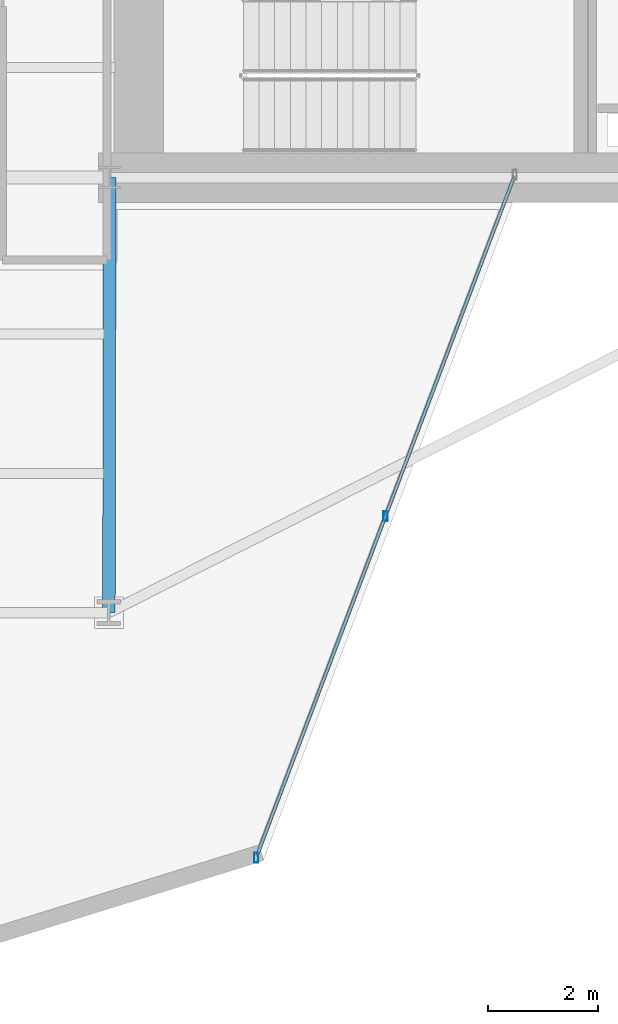
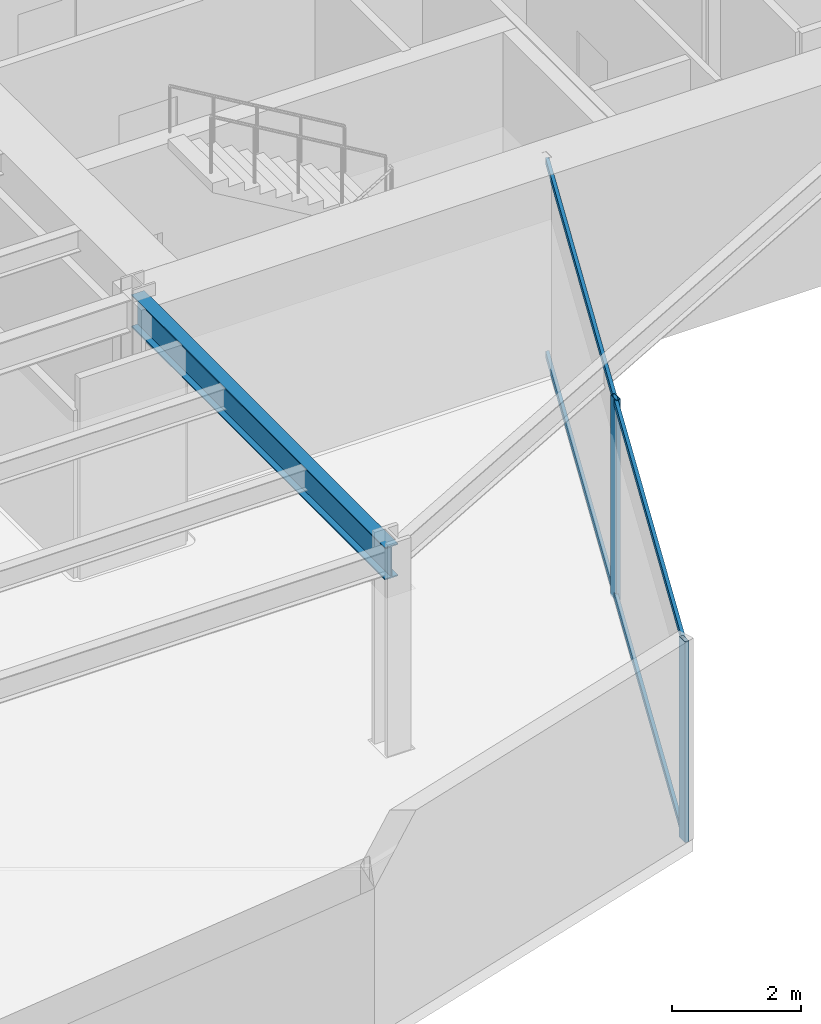
# One storey, part 13 of 30: 4 members, 1 beam, 1 element without a shape of its own.
"""IFC4 building model written with IfcOpenShell, lengths in metres."""

import ifcopenshell
import ifcopenshell.guid

model = None  # the IFC model being written
_history = None  # IfcOwnerHistory: only IFC2X3 demands one
_inside = {}  # id of a spatial element -> (the spatial element, [elements in it])
_under = {}  # id of a project, library or spatial element -> (it, [spatial elements below it])
_declared = {}  # id of a project -> (the project, [libraries it declares])
_typed = {}  # id of a type object -> (the type object, [elements of that type])
_made_of = {}  # id of a material, layer set ... -> (it, [elements and type objects made of it])


def new_model(schema):
    """Start an empty IFC model of exactly this schema.

    Asked for "IFC4X3", IfcOpenShell would pick the latest addendum, in which some entities
    have other attributes; the version numbers below select the first issue.
    IFC2X3 requires an IfcOwnerHistory on every rooted entity: one is made here for all.
    """
    global model, _history
    if schema == "IFC4X3":
        model = ifcopenshell.file(schema_version=(4, 3, 0, 0))
    else:
        model = ifcopenshell.file(schema=schema)
    _inside.clear()
    _under.clear()
    _declared.clear()
    _typed.clear()
    _made_of.clear()
    _history = None
    if model.schema == "IFC2X3":
        org = make("IfcOrganization", Name="unknown")
        user = make(
            "IfcPersonAndOrganization",
            ThePerson=make("IfcPerson", FamilyName="unknown"),
            TheOrganization=org,
        )
        app = make(
            "IfcApplication",
            ApplicationDeveloper=org,
            Version="unknown",
            ApplicationFullName="unknown",
            ApplicationIdentifier="unknown",
        )
        _history = make(
            "IfcOwnerHistory",
            OwningUser=user,
            OwningApplication=app,
            ChangeAction="ADDED",
            CreationDate=0,
        )
    return model


def make(cls, **values):
    """One entity of the class cls with the attributes given. An attribute that is None is left unset."""
    return model.create_entity(
        cls, **{name: value for name, value in values.items() if value is not None}
    )


def rooted(cls, **values):
    """An entity with a GlobalId (a new one), such as an element, a storey or a relation."""
    return make(cls, GlobalId=ifcopenshell.guid.new(), OwnerHistory=_history, **values)


def si_unit(unit_type, name, prefix=None):
    """IfcSIUnit, for example si_unit("LENGTHUNIT", "METRE", prefix="MILLI")."""
    return make("IfcSIUnit", UnitType=unit_type, Prefix=prefix, Name=name)


def assignment(units):
    """IfcUnitAssignment: the units of a project."""
    return None if units is None else make("IfcUnitAssignment", Units=units)


def point(xyz):
    """IfcCartesianPoint."""
    return None if xyz is None else make("IfcCartesianPoint", Coordinates=xyz)


def direction(xyz):
    """IfcDirection."""
    return None if xyz is None else make("IfcDirection", DirectionRatios=xyz)


def frame(location, z_axis=None, x_axis=None):
    """IfcAxis2Placement3D, a coordinate frame: its origin and axes. An axis left out is left unset."""
    return make(
        "IfcAxis2Placement3D",
        Location=point(location),
        Axis=direction(z_axis),
        RefDirection=direction(x_axis),
    )


def frame_2d(location, x_axis=None):
    """IfcAxis2Placement2D, a coordinate frame in the plane: its origin and x axis."""
    return make(
        "IfcAxis2Placement2D", Location=point(location), RefDirection=direction(x_axis)
    )


def origin():
    """The frame at (0, 0, 0) with its axes left unset."""
    return frame((0.0, 0.0, 0.0))


def origin_2d():
    """The frame at (0, 0) in the plane with its x axis left unset."""
    return frame_2d((0.0, 0.0))


def place(relative_to, where):
    """IfcLocalPlacement: puts the frame where relative to a parent placement (None: the world)."""
    return make(
        "IfcLocalPlacement", PlacementRelTo=relative_to, RelativePlacement=where
    )


def context(
    kind, dimensions, precision=None, world=None, true_north=None, identifier=None
):
    """IfcGeometricRepresentationContext, for example the 3D "Model" context."""
    return make(
        "IfcGeometricRepresentationContext",
        ContextIdentifier=identifier,
        ContextType=kind,
        CoordinateSpaceDimension=dimensions,
        Precision=precision,
        WorldCoordinateSystem=world,
        TrueNorth=true_north,
    )


def subcontext(parent, identifier, kind, view, scale=None):
    """IfcGeometricRepresentationSubContext, for example "Body" below "Model"."""
    return make(
        "IfcGeometricRepresentationSubContext",
        ContextIdentifier=identifier,
        ContextType=kind,
        ParentContext=parent,
        TargetScale=scale,
        TargetView=view,
    )


def project(units=None, contexts=None):
    """IfcProject with its units and contexts."""
    return rooted(
        "IfcProject",
        Name="project",
        RepresentationContexts=contexts,
        UnitsInContext=assignment(units),
    )


def spatial(cls, under=None, at=None, **own):
    """A site, building, storey or space (cls), placed at a placement, below another one or the project."""
    s = rooted(cls, ObjectPlacement=at, **own)
    if under is not None:
        _under.setdefault(under.id(), (under, []))[1].append(s)
    return s


def profile(cls, at=None, kind="AREA", **sizes):
    """A parametric profile (cls). Its sizes go by their IFC names, for example OverallWidth=200.0."""
    return make(cls, ProfileType=kind, Position=at, **sizes)


def hollow_rectangle(**sizes):
    """IfcRectangleHollowProfileDef."""
    return profile("IfcRectangleHollowProfileDef", **sizes)


def i_section(**sizes):
    """IfcIShapeProfileDef."""
    return profile("IfcIShapeProfileDef", **sizes)


def extrude(swept, where, along, depth):
    """IfcExtrudedAreaSolid: the profile swept, set in the frame where, extruded along a direction by depth."""
    return make(
        "IfcExtrudedAreaSolid",
        SweptArea=swept,
        Position=where,
        ExtrudedDirection=direction(along),
        Depth=depth,
    )


def shape(context_of_items, identifier, shape_type, items):
    """IfcShapeRepresentation: the items that make up one representation, for example the "Body"."""
    return make(
        "IfcShapeRepresentation",
        ContextOfItems=context_of_items,
        RepresentationIdentifier=identifier,
        RepresentationType=shape_type,
        Items=items,
    )


def material(Name=None, Category=None):
    """IfcMaterial."""
    return make("IfcMaterial", Name=Name, Category=Category)


def layer(
    of_material, thickness, ventilated=None, Name=None, Category=None, Priority=None
):
    """IfcMaterialLayer: one layer of a wall or slab, of a material (None: an air gap)."""
    return make(
        "IfcMaterialLayer",
        Material=of_material,
        LayerThickness=thickness,
        IsVentilated=ventilated,
        Name=Name,
        Category=Category,
        Priority=Priority,
    )


def layer_set(layers, Name=None):
    """IfcMaterialLayerSet."""
    return make("IfcMaterialLayerSet", MaterialLayers=layers, LayerSetName=Name)


def material_profile(
    of_material, cross_section, Name=None, Category=None, Priority=None
):
    """IfcMaterialProfile: a cross section and its material."""
    return make(
        "IfcMaterialProfile",
        Name=Name,
        Material=of_material,
        Profile=cross_section,
        Priority=Priority,
        Category=Category,
    )


def profile_set(profiles, Name=None, composite=None):
    """IfcMaterialProfileSet."""
    return make(
        "IfcMaterialProfileSet",
        Name=Name,
        MaterialProfiles=profiles,
        CompositeProfile=composite,
    )


def made_of(thing, what):
    """Note that an element or type object is made of a material, layer set ...; save() writes the relation."""
    if what is not None:
        _made_of.setdefault(what.id(), (what, []))[1].append(thing)
    return thing


def type_object(cls, material=None, **own):
    """A type object (cls), such as IfcWallType, which elements share."""
    return made_of(rooted(cls, **own), material)


def element(
    cls,
    number,
    at=None,
    inside=None,
    cuts=None,
    type_object=None,
    material=None,
    context=None,
    identifier="Body",
    shape_type=None,
    held_by="IfcProductDefinitionShape",
    body=None,
    shapes=None,
    **own,
):
    """One element of the class cls, such as IfcWall. Its Tag is "e" and its number.

    at: its placement. inside: the storey or other place that contains it. cuts: it is an
    opening in that element (IfcRelVoidsElement). A single representation is given by context,
    identifier, shape_type and body (its items); several are given by shapes. held_by: the class
    of the entity that holds the representations. save() writes the other relations.
    """
    e = rooted(cls, Tag="e%d" % number, ObjectPlacement=at, **own)
    if body is not None:
        shapes = [shape(context, identifier, shape_type, body)]
    if shapes is not None:
        e.Representation = make(held_by, Representations=shapes)
    if inside is not None:
        _inside.setdefault(inside.id(), (inside, []))[1].append(e)
    if cuts is not None:
        rooted(
            "IfcRelVoidsElement", RelatingBuildingElement=cuts, RelatedOpeningElement=e
        )
    if type_object is not None:
        _typed.setdefault(type_object.id(), (type_object, []))[1].append(e)
    return made_of(e, material)


def aggregate(whole, parts):
    """IfcRelAggregates: a whole, such as a stair, and the parts it consists of."""
    return rooted("IfcRelAggregates", RelatingObject=whole, RelatedObjects=parts)


def save(model, path):
    """Write the relations noted so far, then the file.

    IfcRelAggregates (storeys below a building ...), IfcRelContainedInSpatialStructure (elements
    in a storey), IfcRelDefinesByType, IfcRelAssociatesMaterial and IfcRelDeclares: one each for
    every whole, place, type object, material and project.
    """
    for whole, parts in _under.values():
        aggregate(whole, parts)
    for where, things in _inside.values():
        rooted(
            "IfcRelContainedInSpatialStructure",
            RelatedElements=things,
            RelatingStructure=where,
        )
    for kind, things in _typed.values():
        rooted("IfcRelDefinesByType", RelatedObjects=things, RelatingType=kind)
    for what, things in _made_of.values():
        rooted("IfcRelAssociatesMaterial", RelatedObjects=things, RelatingMaterial=what)
    for by, libraries in _declared.values():
        rooted("IfcRelDeclares", RelatingContext=by, RelatedDefinitions=libraries)
    model.write(path)


model = new_model("IFC4")

# Units and contexts
model_context = context("Model", 3, precision=1e-05, world=origin(), true_north=direction((0.0, 1.0)))
body_context = subcontext(model_context, "Body", "Model", "MODEL_VIEW")
ifc_project = project(units=[si_unit("LENGTHUNIT", "METRE"), si_unit("AREAUNIT", "SQUARE_METRE"), si_unit("VOLUMEUNIT", "CUBIC_METRE"), si_unit("PLANEANGLEUNIT", "RADIAN"), si_unit("MASSUNIT", "GRAM", prefix="KILO")], contexts=[model_context])

# Site, building, storey
site_placement = place(None, origin())
site = spatial("IfcSite", under=ifc_project, at=site_placement, CompositionType="ELEMENT")
building_placement = place(site_placement, origin())
building = spatial("IfcBuilding", under=site, at=building_placement, Name="Veymaron Broadcast Tower", CompositionType="ELEMENT")
storey_placement = place(building_placement, frame((0.0, 0.0, 37.800048828125)))
storey = spatial("IfcBuildingStorey", under=building, at=storey_placement, Name="L07", CompositionType="ELEMENT", Elevation=37.800048828125)

# Beam
ifc_material_1 = material(Name="Structural steel ASTM A992 Gr 50", Category="steel")
ifc_material_profile_1 = material_profile(ifc_material_1, i_section(OverallWidth=0.22998046875, OverallDepth=0.616943359375, WebThickness=0.01318359375, FlangeThickness=0.022216796875, at=origin_2d()), Name="W610X140")
ifc_profile_set_1 = profile_set([ifc_material_profile_1], Name="Structural steel ASTM A992 Gr 50")
beam_type = type_object("IfcBeamType", Name="BM-FG1", PredefinedType="BEAM", material=ifc_profile_set_1)
beam_placement = place(storey_placement, frame((39.0, 16.0, 3.50146484375), z_axis=(-0.001882770823, -0.999998227585, 0.0), x_axis=(0.999998227585, -0.001882770823, 0.0)))
element("IfcBeam", 1, at=beam_placement, inside=storey, type_object=beam_type, Name="L07 primary structural floor girder", PredefinedType="BEAM", context=body_context, shape_type="SweptSolid", body=[
    extrude(i_section(OverallWidth=0.22998046875, OverallDepth=0.616943359375, WebThickness=0.01318359375, FlangeThickness=0.022216796875, at=origin_2d()), origin(), (0.0, 0.0, 1.0), 7.909912109375),
])

# Curtain wall, members
ifc_material_2 = material(Name="Anodised aluminium AA 6063-T6 and laminated low-E dark glass", Category="aluminium")
ifc_layer = layer(ifc_material_2, 0.179931640625)
ifc_layer_set = layer_set([ifc_layer], Name="Anodised aluminium AA 6063-T6 and laminated low-E dark glass")
curtain_wall_type = type_object("IfcCurtainWallType", Name="CW-SYS-02", PredefinedType="NOTDEFINED", material=ifc_layer_set)
curtain_wall_placement = place(storey_placement, origin())
curtain_wall = element("IfcCurtainWall", 2, at=curtain_wall_placement, inside=storey, type_object=curtain_wall_type, Name="L07 dark-glass curtain wall CW-L07-E20-1", PredefinedType="NOTDEFINED")
ifc_material_3 = material(Name="Anodised aluminium AA 6063-T6", Category="aluminium")
ifc_material_profile_2 = material_profile(ifc_material_3, hollow_rectangle(XDim=0.074951171875, YDim=0.179931640625, WallThickness=0.0048828125, at=origin_2d()), Name="AL180X75X5")
ifc_profile_set_2 = profile_set([ifc_material_profile_2], Name="Anodised aluminium AA 6063-T6")
member_type_1 = type_object("IfcMemberType", Name="CW-MUL-02", PredefinedType="MULLION", material=ifc_profile_set_2)
member_1_placement = place(storey_placement, frame((41.663818359375, 3.635498046875, 0.0), z_axis=(0.0, 0.0, 1.0), x_axis=(1.0, 0.0, 0.0)))
member_1 = element("IfcMember", 3, at=member_1_placement, type_object=member_type_1, Name="CW-L07-E20-1 mullion 0", PredefinedType="MULLION", context=body_context, shape_type="SweptSolid", body=[
    extrude(hollow_rectangle(XDim=0.074951171875, YDim=0.179931640625, WallThickness=0.0048828125, at=origin_2d()), origin(), (0.0, 0.0, 1.0), 3.81005859375),
])
member_2_placement = place(storey_placement, frame((44.014892578125, 9.842529296875, 0.0), z_axis=(0.0, 0.0, 1.0), x_axis=(1.0, 0.0, 0.0)))
member_2 = element("IfcMember", 4, at=member_2_placement, type_object=member_type_1, Name="CW-L07-E20-1 mullion 1", PredefinedType="MULLION", context=body_context, shape_type="SweptSolid", body=[
    extrude(hollow_rectangle(XDim=0.074951171875, YDim=0.179931640625, WallThickness=0.0048828125, at=origin_2d()), origin(), (0.0, 0.0, 1.0), 3.81005859375),
])
ifc_material_profile_3 = material_profile(ifc_material_3, hollow_rectangle(XDim=0.06005859375, YDim=0.1201171875, WallThickness=0.00390625, at=origin_2d()), Name="AL120X60X4")
ifc_profile_set_3 = profile_set([ifc_material_profile_3], Name="Anodised aluminium AA 6063-T6")
member_type_2 = type_object("IfcMemberType", Name="CW-TRN-02", PredefinedType="USERDEFINED", material=ifc_profile_set_3)
member_3_placement = place(storey_placement, frame((41.681396484375, 3.682373046875, 0.070068359375), z_axis=(0.354240813024, 0.935154236684, 0.0), x_axis=(-0.935154236684, 0.354240813024, 0.0)))
member_3 = element("IfcMember", 5, at=member_3_placement, type_object=member_type_2, Name="CW-L07-E20-1 transom B", ObjectType="TRANSOM", PredefinedType="USERDEFINED", context=body_context, shape_type="SweptSolid", body=[
    extrude(hollow_rectangle(XDim=0.06005859375, YDim=0.1201171875, WallThickness=0.00390625, at=origin_2d()), origin(), (0.0, 0.0, 1.0), 13.174560546875),
])
member_4_placement = place(storey_placement, frame((41.681396484375, 3.682373046875, 3.739990234375), z_axis=(0.354240813024, 0.935154236684, 0.0), x_axis=(-0.935154236684, 0.354240813024, 0.0)))
member_4 = element("IfcMember", 6, at=member_4_placement, type_object=member_type_2, Name="CW-L07-E20-1 transom T", ObjectType="TRANSOM", PredefinedType="USERDEFINED", context=body_context, shape_type="SweptSolid", body=[
    extrude(hollow_rectangle(XDim=0.06005859375, YDim=0.1201171875, WallThickness=0.00390625, at=origin_2d()), origin(), (0.0, 0.0, 1.0), 13.174560546875),
])
aggregate(curtain_wall, [member_1, member_2, member_3, member_4])

save(model, "model.ifc")
